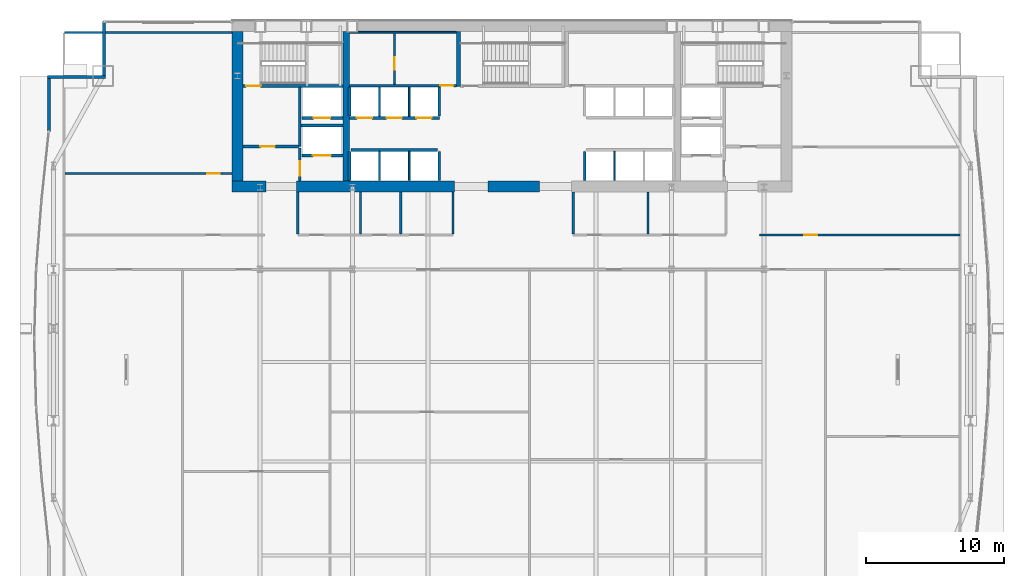
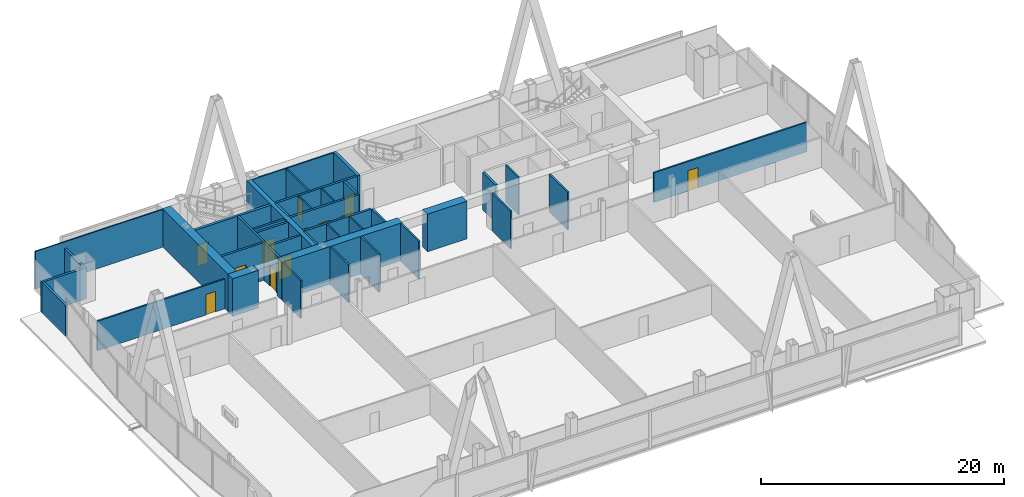
# One storey, part 28 of 32: 40 walls, 12 doors, 12 openings.
"""IFC4 building model written with IfcOpenShell, lengths in metres."""

from ifc_helpers import new_model, si_unit, direction, frame, frame_2d, origin, place, context, subcontext, project, spatial, rectangle, extrude, material, layer, layer_set, type_object, element, fill, save


model = new_model("IFC4")

# Units and contexts
model_context = context("Model", 3, precision=1e-05, world=origin(), true_north=direction((0.0, 1.0)))
body_context = subcontext(model_context, "Body", "Model", "MODEL_VIEW")
ifc_project = project(units=[si_unit("LENGTHUNIT", "METRE"), si_unit("AREAUNIT", "SQUARE_METRE"), si_unit("VOLUMEUNIT", "CUBIC_METRE"), si_unit("PLANEANGLEUNIT", "RADIAN"), si_unit("MASSUNIT", "GRAM", prefix="KILO")], contexts=[model_context])

# Site, building, storey
site_placement = place(None, origin())
site = spatial("IfcSite", under=ifc_project, at=site_placement, CompositionType="ELEMENT")
building_placement = place(site_placement, origin())
building = spatial("IfcBuilding", under=site, at=building_placement, Name="Khoronbel Lancet Exchange", CompositionType="ELEMENT")
storey_placement = place(building_placement, frame((0.0, 0.0, 81.800048828125)))
storey = spatial("IfcBuildingStorey", under=building, at=storey_placement, Name="L19", CompositionType="ELEMENT", Elevation=81.800048828125)

# Walls
ifc_material_1 = material(Name="Concrete C80/95", Category="concrete")
ifc_layer_1 = layer(ifc_material_1, 0.800048828125, Name="Concrete C80/95")
ifc_layer_set_1 = layer_set([ifc_layer_1], Name="Concrete C80/95")
wall_type_1 = type_object("IfcWallType", Name="WL-CW1", PredefinedType="SHEAR", material=ifc_layer_set_1)
wall_1_placement = place(storey_placement, frame((16.60009765625, 42.10009765625, 0.0), z_axis=(0.0, 0.0, 1.0), x_axis=(0.0, 1.0, 0.0)))
element("IfcWall", 1, at=wall_1_placement, inside=storey, type_object=wall_type_1, Name="Level L19 rear core west shear wall", PredefinedType="SHEAR", context=body_context, shape_type="SweptSolid", body=[
    extrude(rectangle(XDim=10.7998046875, YDim=0.800048828125, at=frame_2d((5.39990234375, 0.0))), origin(), (0.0, 0.0, 1.0), 3.780029296875),
])
wall_2_placement = place(storey_placement, frame((18.64990234375, 41.699951171875, 0.0), z_axis=(0.0, 0.0, 1.0), x_axis=(-1.0, 0.0, 0.0)))
element("IfcWall", 2, at=wall_2_placement, inside=storey, type_object=wall_type_1, Name="Level L19 rear core south shear wall pier P1", PredefinedType="SHEAR", context=body_context, shape_type="SweptSolid", body=[
    extrude(rectangle(XDim=2.449951171875, YDim=0.800048828125, at=frame_2d((1.22509765625, 0.0))), origin(), (0.0, 0.0, 1.0), 3.780029296875),
])
wall_3_placement = place(storey_placement, frame((32.300048828125, 41.699951171875, 0.0), z_axis=(0.0, 0.0, 1.0), x_axis=(-1.0, 0.0, 0.0)))
element("IfcWall", 3, at=wall_3_placement, inside=storey, type_object=wall_type_1, Name="Level L19 rear core south shear wall pier P2", PredefinedType="SHEAR", context=body_context, shape_type="SweptSolid", body=[
    extrude(rectangle(XDim=11.449951171875, YDim=0.800048828125, at=frame_2d((5.72509765625, 0.0))), origin(), (0.0, 0.0, 1.0), 3.780029296875),
])
wall_4_placement = place(storey_placement, frame((38.449951171875, 41.699951171875, 0.0), z_axis=(0.0, 0.0, 1.0), x_axis=(-1.0, 0.0, 0.0)))
element("IfcWall", 4, at=wall_4_placement, inside=storey, type_object=wall_type_1, Name="Level L19 rear core south shear wall pier P3", PredefinedType="SHEAR", context=body_context, shape_type="SweptSolid", body=[
    extrude(rectangle(XDim=3.75, YDim=0.800048828125, at=frame_2d((1.875, 0.0))), origin(), (0.0, 0.0, 1.0), 3.780029296875),
])
ifc_material_2 = material(Name="Precast concrete C40/50", Category="concrete")
ifc_layer_2 = layer(ifc_material_2, 0.25, Name="Precast concrete C40/50")
ifc_layer_set_2 = layer_set([ifc_layer_2], Name="Precast concrete C40/50")
wall_type_2 = type_object("IfcWallType", Name="WL-EXT250", PredefinedType="SOLIDWALL", material=ifc_layer_set_2)
wall_5_placement = place(storey_placement, frame((2.93994140625, 45.67529296875, 0.0), z_axis=(0.0, 0.0, 1.0), x_axis=(0.0, 1.0, 0.0)))
element("IfcWall", 5, at=wall_5_placement, inside=storey, type_object=wall_type_2, Name="Level L19 notched-corner limestone pier 10", PredefinedType="SOLIDWALL", context=body_context, shape_type="SweptSolid", body=[
    extrude(rectangle(XDim=3.82470703125, YDim=0.219970703125, at=frame_2d((1.912353515625, 0.0))), origin(), (0.0, 0.0, 1.0), 3.119873046875),
])
wall_6_placement = place(storey_placement, frame((2.830078125, 49.610107421875, 0.0), z_axis=(0.0, 0.0, 1.0), x_axis=(1.0, 0.0, 0.0)))
element("IfcWall", 6, at=wall_6_placement, inside=storey, type_object=wall_type_2, Name="Level L19 notched-corner limestone pier 11", PredefinedType="SOLIDWALL", context=body_context, shape_type="SweptSolid", body=[
    extrude(rectangle(XDim=4.219970703125, YDim=0.219970703125, at=frame_2d((2.10986328125, 0.0))), origin(), (0.0, 0.0, 1.0), 3.119873046875),
])
wall_7_placement = place(storey_placement, frame((6.93994140625, 49.719970703125, 0.0), z_axis=(0.0, 0.0, 1.0), x_axis=(0.0, 1.0, 0.0)))
element("IfcWall", 7, at=wall_7_placement, inside=storey, type_object=wall_type_2, Name="Level L19 notched-corner limestone pier 12", PredefinedType="SOLIDWALL", context=body_context, shape_type="SweptSolid", body=[
    extrude(rectangle(XDim=3.909912109375, YDim=0.219970703125, at=frame_2d((1.955078125, 0.0))), origin(), (0.0, 0.0, 1.0), 3.119873046875),
])
ifc_material_3 = material(Name="Acoustic Metal-Stud & Mineral-Wool Gypsum Partition 120 mm", Category="gypsum")
ifc_layer_3 = layer(ifc_material_3, 0.1201171875, Name="Acoustic Metal-Stud & Mineral-Wool Gypsum Partition 120 mm")
ifc_layer_set_3 = layer_set([ifc_layer_3], Name="Acoustic Metal-Stud & Mineral-Wool Gypsum Partition 120 mm")
wall_type_3 = type_object("IfcWallType", Name="WL-PRT120", PredefinedType="PARTITIONING", material=ifc_layer_set_3)
for number, where, z_axis, x_axis, name in (
    (8, (20.949951171875, 38.280029296875, 0.0), (0.0, 0.0, 1.0), (0.0, 1.0, 0.0), "Level L19 interior partition PW-WC-0"),
    (9, (25.5, 38.280029296875, 0.0), (0.0, 0.0, 1.0), (0.0, 1.0, 0.0), "Level L19 interior partition PW-WC-1"),
    (10, (28.39990234375, 38.280029296875, 0.0), (0.0, 0.0, 1.0), (0.0, 1.0, 0.0), "Level L19 interior partition PW-WC-2"),
    (11, (32.179931640625, 38.280029296875, 0.0), (0.0, 0.0, 1.0), (0.0, 1.0, 0.0), "Level L19 interior partition PW-WC-3"),
    (12, (40.8798828125, 38.280029296875, 0.0), (0.0, 0.0, 1.0), (0.0, 1.0, 0.0), "Level L19 interior partition PW-NP-0"),
    (13, (46.300048828125, 38.280029296875, 0.0), (0.0, 0.0, 1.0), (0.0, 1.0, 0.0), "Level L19 interior partition PW-NP-M"),
):
    element("IfcWall", number, at=place(storey_placement, frame(where, z_axis=z_axis, x_axis=x_axis)), inside=storey, type_object=wall_type_3, Name=name, PredefinedType="PARTITIONING", context=body_context, shape_type="SweptSolid", body=[
        extrude(rectangle(XDim=3.02001953125, YDim=0.14990234375, at=frame_2d((1.510009765625, 0.0))), origin(), (0.0, 0.0, 1.0), 3.780029296875),
    ])

# Wall, opening, door
wall_8_placement = place(storey_placement, frame((4.094970703125, 42.64990234375, 0.0), z_axis=(0.0, 0.0, 1.0), x_axis=(1.0, 0.0, 0.0)))
wall_8 = element("IfcWall", 14, at=wall_8_placement, inside=storey, type_object=wall_type_3, Name="Level L19 interior partition PW-NW-H", PredefinedType="PARTITIONING", context=body_context, shape_type="SweptSolid", body=[
    extrude(rectangle(XDim=12.10498046875, YDim=0.14990234375, at=frame_2d((6.052490234375, 0.0))), origin(), (0.0, 0.0, 1.0), 2.969970703125),
])
opening_1_placement = place(wall_8_placement, frame((10.320068359375, 0.0, 0.0)))
opening_1 = element("IfcOpeningElement", 15, at=opening_1_placement, cuts=wall_8, Name="Opening D5", PredefinedType="OPENING", context=body_context, shape_type="SweptSolid", body=[
    extrude(rectangle(XDim=0.89990234375, YDim=2.050048828125, at=frame_2d((0.449951171875, 1.02490234375))), frame((0.0, 0.0849609375, 0.0), z_axis=(0.0, -1.0, 0.0), x_axis=(1.0, 0.0, 0.0)), (0.0, 0.0, 1.0), 0.169921875),
])
ifc_material_4 = material(Name="Acoustic Timber Pantry & Support Door", Category="wood")
door_type_1 = type_object("IfcDoorType", Name="DR-D5", OperationType="NOTDEFINED", PredefinedType="DOOR", material=ifc_material_4)
door_1_placement = place(opening_1_placement, origin())
door_1 = element("IfcDoor", 16, at=door_1_placement, inside=storey, type_object=door_type_1, Name="NW north room door L19-1", OperationType="SINGLE_SWING_LEFT", OverallHeight=2.050048828125, OverallWidth=0.89990234375, PredefinedType="DOOR", context=body_context, shape_type="SweptSolid", body=[
    extrude(rectangle(XDim=0.89990234375, YDim=2.050048828125, at=frame_2d((0.449951171875, 1.02490234375))), frame((0.0, 0.02490234375, 0.0), z_axis=(0.0, -1.0, 0.0), x_axis=(1.0, 0.0, 0.0)), (0.0, 0.0, 1.0), 0.050048828125),
])
fill(opening_1, door_1)

# Walls
wall_9_placement = place(storey_placement, frame((4.094970703125, 52.840087890625, 0.0), z_axis=(0.0, 0.0, 1.0), x_axis=(1.0, 0.0, 0.0)))
element("IfcWall", 17, at=wall_9_placement, inside=storey, type_object=wall_type_3, Name="Level L19 interior partition PW-LIN-NW", PredefinedType="PARTITIONING", context=body_context, shape_type="SweptSolid", body=[
    extrude(rectangle(XDim=12.10498046875, YDim=0.1201171875, at=frame_2d((6.052490234375, 0.0))), origin(), (0.0, 0.0, 1.0), 3.780029296875),
])
ifc_material_5 = material(Name="Fire-Rated Metal-Stud & Mineral-Wool Gypsum Partition 120 mm", Category="gypsum")
ifc_layer_4 = layer(ifc_material_5, 0.1201171875, Name="Fire-Rated Metal-Stud & Mineral-Wool Gypsum Partition 120 mm")
ifc_layer_set_4 = layer_set([ifc_layer_4], Name="Fire-Rated Metal-Stud & Mineral-Wool Gypsum Partition 120 mm")
wall_type_4 = type_object("IfcWallType", Name="WL-PRT120F", PredefinedType="PARTITIONING", material=ifc_layer_set_4)
for number, where, z_axis, x_axis, name in (
    (18, (26.860107421875, 46.800048828125, 0.0), (0.0, 0.0, 1.0), (0.0, 1.0, 0.0), "Level L19 interior partition CW-PL-D1"),
    (19, (29.02001953125, 46.800048828125, 0.0), (0.0, 0.0, 1.0), (0.0, 1.0, 0.0), "Level L19 interior partition CW-PL-D2"),
):
    element("IfcWall", number, at=place(storey_placement, frame(where, z_axis=z_axis, x_axis=x_axis)), inside=storey, type_object=wall_type_4, Name=name, PredefinedType="PARTITIONING", context=body_context, shape_type="SweptSolid", body=[
        extrude(rectangle(XDim=2.094970703125, YDim=0.1201171875, at=frame_2d((1.04736328125, 0.0))), origin(), (0.0, 0.0, 1.0), 3.780029296875),
    ])
for number, where, z_axis, x_axis, name in (
    (20, (26.860107421875, 42.14990234375, 0.0), (0.0, 0.0, 1.0), (0.0, 1.0, 0.0), "Level L19 interior partition CW-PM-D1"),
    (21, (29.02001953125, 42.14990234375, 0.0), (0.0, 0.0, 1.0), (0.0, 1.0, 0.0), "Level L19 interior partition CW-PM-D2"),
    (22, (43.860107421875, 42.14990234375, 0.0), (0.0, 0.0, 1.0), (0.0, 1.0, 0.0), "Level L19 interior partition CW-PX-D1"),
):
    element("IfcWall", number, at=place(storey_placement, frame(where, z_axis=z_axis, x_axis=x_axis)), inside=storey, type_object=wall_type_4, Name=name, PredefinedType="PARTITIONING", context=body_context, shape_type="SweptSolid", body=[
        extrude(rectangle(XDim=2.09521484375, YDim=0.1201171875, at=frame_2d((1.047607421875, 0.0))), origin(), (0.0, 0.0, 1.0), 3.780029296875),
    ])
wall_10_placement = place(storey_placement, frame((24.699951171875, 52.860107421875, 0.0), z_axis=(0.0, 0.0, 1.0), x_axis=(1.0, 0.0, 0.0)))
element("IfcWall", 23, at=wall_10_placement, inside=storey, type_object=wall_type_4, Name="Level L19 interior partition CW-SUP-NW-N", PredefinedType="PARTITIONING", context=body_context, shape_type="SweptSolid", body=[
    extrude(rectangle(XDim=7.719970703125, YDim=0.1201171875, at=frame_2d((3.85986328125, 0.0))), origin(), (0.0, 0.0, 1.0), 3.780029296875),
])

# Wall, opening, door
wall_11_placement = place(storey_placement, frame((27.9423828125, 49.10498046875, 0.0), z_axis=(0.0, 0.0, 1.0), x_axis=(0.0, 1.0, 0.0)))
wall_11 = element("IfcWall", 24, at=wall_11_placement, inside=storey, type_object=wall_type_4, Name="Level L19 interior partition CW-SUP-NW-M", PredefinedType="PARTITIONING", context=body_context, shape_type="SweptSolid", body=[
    extrude(rectangle(XDim=3.68994140625, YDim=0.1201171875, at=frame_2d((1.844970703125, 0.0))), origin(), (0.0, 0.0, 1.0), 3.780029296875),
])
opening_2_placement = place(wall_11_placement, frame((1.050048828125, 0.0, 0.0)))
opening_2 = element("IfcOpeningElement", 25, at=opening_2_placement, cuts=wall_11, Name="Opening FD4", PredefinedType="OPENING", context=body_context, shape_type="SweptSolid", body=[
    extrude(rectangle(XDim=0.89990234375, YDim=2.050048828125, at=frame_2d((0.449951171875, 1.02490234375))), frame((0.0, 0.070068359375, 0.0), z_axis=(0.0, -1.0, 0.0), x_axis=(1.0, 0.0, 0.0)), (0.0, 0.0, 1.0), 0.14013671875),
])
ifc_material_6 = material(Name="Fire-Rated Steel Core Support Door Assembly", Category="steel")
door_type_2 = type_object("IfcDoorType", Name="DR-FD4", OperationType="NOTDEFINED", PredefinedType="DOOR", material=ifc_material_6)
door_2_placement = place(opening_2_placement, origin())
door_2 = element("IfcDoor", 26, at=door_2_placement, inside=storey, type_object=door_type_2, Name="Core NW inner support door L19-1", OperationType="SINGLE_SWING_RIGHT", OverallHeight=2.050048828125, OverallWidth=0.89990234375, PredefinedType="DOOR", context=body_context, shape_type="SweptSolid", body=[
    extrude(rectangle(XDim=0.89990234375, YDim=2.050048828125, at=frame_2d((0.449951171875, 1.02490234375))), frame((0.0, 0.02490234375, 0.0), z_axis=(0.0, -1.0, 0.0), x_axis=(1.0, 0.0, 0.0)), (0.0, 0.0, 1.0), 0.050048828125),
])
fill(opening_2, door_2)

ifc_material_7 = material(Name="Fire-Rated Twin-Stud Acoustic Gypsum Partition 150 mm", Category="gypsum")
ifc_layer_5 = layer(ifc_material_7, 0.14990234375, Name="Fire-Rated Twin-Stud Acoustic Gypsum Partition 150 mm")
ifc_layer_set_5 = layer_set([ifc_layer_5], Name="Fire-Rated Twin-Stud Acoustic Gypsum Partition 150 mm")
wall_type_5 = type_object("IfcWallType", Name="WL-PRT150C", PredefinedType="PARTITIONING", material=ifc_layer_set_5)
wall_12_placement = place(storey_placement, frame((54.35009765625, 38.199951171875, 0.0), z_axis=(0.0, 0.0, 1.0), x_axis=(1.0, 0.0, 0.0)))
wall_12 = element("IfcWall", 27, at=wall_12_placement, inside=storey, type_object=wall_type_5, Name="Level L19 interior partition PW-NE-S", PredefinedType="PARTITIONING", context=body_context, shape_type="SweptSolid", body=[
    extrude(rectangle(XDim=14.52001953125, YDim=0.14990234375, at=frame_2d((7.260009765625, 0.0))), origin(), (0.0, 0.0, 1.0), 2.969970703125),
])
opening_3_placement = place(wall_12_placement, frame((3.25, 0.0, 0.0)))
opening_3 = element("IfcOpeningElement", 28, at=opening_3_placement, cuts=wall_12, Name="Opening D1", PredefinedType="OPENING", context=body_context, shape_type="SweptSolid", body=[
    extrude(rectangle(XDim=0.949951171875, YDim=2.050048828125, at=frame_2d((0.47509765625, 1.02490234375))), frame((0.0, 0.0849609375, 0.0), z_axis=(0.0, -1.0, 0.0), x_axis=(1.0, 0.0, 0.0)), (0.0, 0.0, 1.0), 0.169921875),
])
ifc_material_8 = material(Name="Acoustic Veneered Timber & Bronze Frame Door", Category="wood")
door_type_3 = type_object("IfcDoorType", Name="DR-D1", OperationType="NOTDEFINED", PredefinedType="DOOR", material=ifc_material_8)
door_3_placement = place(opening_3_placement, origin())
door_3 = element("IfcDoor", 29, at=door_3_placement, inside=storey, type_object=door_type_3, Name="NE corner room door L19-1", OperationType="SINGLE_SWING_RIGHT", OverallHeight=2.050048828125, OverallWidth=0.949951171875, PredefinedType="DOOR", context=body_context, shape_type="SweptSolid", body=[
    extrude(rectangle(XDim=0.949951171875, YDim=2.050048828125, at=frame_2d((0.47509765625, 1.02490234375))), frame((0.0, 0.02490234375, 0.0), z_axis=(0.0, -1.0, 0.0), x_axis=(1.0, 0.0, 0.0)), (0.0, 0.0, 1.0), 0.050048828125),
])
fill(opening_3, door_3)

ifc_material_9 = material(Name="Autoclaved Aerated Concrete Blockwork 200 mm", Category="masonry")
ifc_layer_6 = layer(ifc_material_9, 0.199951171875, Name="Autoclaved Aerated Concrete Blockwork 200 mm")
ifc_layer_set_6 = layer_set([ifc_layer_6], Name="Autoclaved Aerated Concrete Blockwork 200 mm")
wall_type_6 = type_object("IfcWallType", Name="WL-PRT200", PredefinedType="PARTITIONING", material=ifc_layer_set_6)
wall_13_placement = place(storey_placement, frame((24.2099609375, 43.949951171875, 0.0), z_axis=(0.0, 0.0, 1.0), x_axis=(-1.0, 0.0, 0.0)))
wall_13 = element("IfcWall", 30, at=wall_13_placement, inside=storey, type_object=wall_type_6, Name="Level L19 elevator hoistway landing front wall SVLW", PredefinedType="PARTITIONING", context=body_context, shape_type="SweptSolid", body=[
    extrude(rectangle(XDim=2.969970703125, YDim=0.199951171875, at=frame_2d((1.48486328125, 0.0))), origin(), (0.0, 0.0, 1.0), 3.780029296875),
])
opening_4_placement = place(wall_13_placement, frame((0.860107421875, 0.0, 0.0)))
opening_4 = element("IfcOpeningElement", 31, at=opening_4_placement, cuts=wall_13, Name="Opening LD-SVL1", PredefinedType="OPENING", context=body_context, shape_type="SweptSolid", body=[
    extrude(rectangle(XDim=1.300048828125, YDim=2.179931640625, at=frame_2d((0.64990234375, 1.08984375))), frame((0.0, 0.10986328125, 0.0), z_axis=(0.0, -1.0, 0.0), x_axis=(1.0, 0.0, 0.0)), (0.0, 0.0, 1.0), 0.219970703125),
])
ifc_material_10 = material(Name="Heavy-Duty Bi-Parting Goods Lift Landing Door", Category="steel")
door_type_4 = type_object("IfcDoorType", Name="DR-LD-SVL", OperationType="NOTDEFINED", PredefinedType="DOOR", material=ifc_material_10)
door_4_placement = place(opening_4_placement, origin())
door_4 = element("IfcDoor", 32, at=door_4_placement, inside=storey, type_object=door_type_4, Name="Elevator landing sliding door LD-SVL1 L19", OperationType="SLIDING_TO_LEFT", OverallHeight=2.179931640625, OverallWidth=1.300048828125, PredefinedType="DOOR", context=body_context, shape_type="SweptSolid", body=[
    extrude(rectangle(XDim=1.300048828125, YDim=2.179931640625, at=frame_2d((0.64990234375, 1.08984375))), frame((0.0, 0.02490234375, 0.0), z_axis=(0.0, -1.0, 0.0), x_axis=(1.0, 0.0, 0.0)), (0.0, 0.0, 1.0), 0.050048828125),
])
fill(opening_4, door_4)

wall_14_placement = place(storey_placement, frame((24.2099609375, 46.64990234375, 0.0), z_axis=(0.0, 0.0, 1.0), x_axis=(-1.0, 0.0, 0.0)))
wall_14 = element("IfcWall", 33, at=wall_14_placement, inside=storey, type_object=wall_type_6, Name="Level L19 elevator hoistway landing front wall FFLW", PredefinedType="PARTITIONING", context=body_context, shape_type="SweptSolid", body=[
    extrude(rectangle(XDim=2.969970703125, YDim=0.199951171875, at=frame_2d((1.48486328125, 0.0))), origin(), (0.0, 0.0, 1.0), 3.780029296875),
])
opening_5_placement = place(wall_14_placement, frame((0.909912109375, 0.0, 0.0)))
opening_5 = element("IfcOpeningElement", 34, at=opening_5_placement, cuts=wall_14, Name="Opening LD-FFL1", PredefinedType="OPENING", context=body_context, shape_type="SweptSolid", body=[
    extrude(rectangle(XDim=1.199951171875, YDim=2.179931640625, at=frame_2d((0.60009765625, 1.08984375))), frame((0.0, 0.10986328125, 0.0), z_axis=(0.0, -1.0, 0.0), x_axis=(1.0, 0.0, 0.0)), (0.0, 0.0, 1.0), 0.219970703125),
])
ifc_material_11 = material(Name="Fire-Rated Stainless Bi-Parting Firefighting Lift Door", Category="steel")
door_type_5 = type_object("IfcDoorType", Name="DR-LD-FFL", OperationType="NOTDEFINED", PredefinedType="DOOR", material=ifc_material_11)
door_5_placement = place(opening_5_placement, origin())
door_5 = element("IfcDoor", 35, at=door_5_placement, inside=storey, type_object=door_type_5, Name="Elevator landing sliding door LD-FFL1 L19", OperationType="SLIDING_TO_LEFT", OverallHeight=2.179931640625, OverallWidth=1.199951171875, PredefinedType="DOOR", context=body_context, shape_type="SweptSolid", body=[
    extrude(rectangle(XDim=1.199951171875, YDim=2.179931640625, at=frame_2d((0.60009765625, 1.08984375))), frame((0.0, 0.02490234375, 0.0), z_axis=(0.0, -1.0, 0.0), x_axis=(1.0, 0.0, 0.0)), (0.0, 0.0, 1.0), 0.050048828125),
])
fill(opening_5, door_5)

# Wall, openings, doors
wall_15_placement = place(storey_placement, frame((31.219970703125, 46.64990234375, 0.0), z_axis=(0.0, 0.0, 1.0), x_axis=(-1.0, 0.0, 0.0)))
wall_15 = element("IfcWall", 36, at=wall_15_placement, inside=storey, type_object=wall_type_6, Name="Level L19 elevator hoistway landing front wall PLW", PredefinedType="PARTITIONING", context=body_context, shape_type="SweptSolid", body=[
    extrude(rectangle(XDim=6.530029296875, YDim=0.199951171875, at=frame_2d((3.26513671875, 0.0))), origin(), (0.0, 0.0, 1.0), 3.780029296875),
])
opening_6_placement = place(wall_15_placement, frame((4.89990234375, 0.0, 0.0)))
opening_6 = element("IfcOpeningElement", 37, at=opening_6_placement, cuts=wall_15, Name="Opening LD-PL1", PredefinedType="OPENING", context=body_context, shape_type="SweptSolid", body=[
    extrude(rectangle(XDim=1.10009765625, YDim=2.179931640625, at=frame_2d((0.550048828125, 1.08984375))), frame((0.0, 0.10986328125, 0.0), z_axis=(0.0, -1.0, 0.0), x_axis=(1.0, 0.0, 0.0)), (0.0, 0.0, 1.0), 0.219970703125),
])
opening_7_placement = place(wall_15_placement, frame((2.739990234375, 0.0, 0.0)))
opening_7 = element("IfcOpeningElement", 38, at=opening_7_placement, cuts=wall_15, Name="Opening LD-PL2", PredefinedType="OPENING", context=body_context, shape_type="SweptSolid", body=[
    extrude(rectangle(XDim=1.10009765625, YDim=2.179931640625, at=frame_2d((0.550048828125, 1.08984375))), frame((0.0, 0.10986328125, 0.0), z_axis=(0.0, -1.0, 0.0), x_axis=(1.0, 0.0, 0.0)), (0.0, 0.0, 1.0), 0.219970703125),
])
opening_8_placement = place(wall_15_placement, frame((0.580078125, 0.0, 0.0)))
opening_8 = element("IfcOpeningElement", 39, at=opening_8_placement, cuts=wall_15, Name="Opening LD-PL3", PredefinedType="OPENING", context=body_context, shape_type="SweptSolid", body=[
    extrude(rectangle(XDim=1.10009765625, YDim=2.179931640625, at=frame_2d((0.550048828125, 1.08984375))), frame((0.0, 0.10986328125, 0.0), z_axis=(0.0, -1.0, 0.0), x_axis=(1.0, 0.0, 0.0)), (0.0, 0.0, 1.0), 0.219970703125),
])
ifc_material_12 = material(Name="Brushed Bronze Bi-Parting Elevator Landing Door", Category="steel")
door_type_6 = type_object("IfcDoorType", Name="DR-LD-PAX", OperationType="NOTDEFINED", PredefinedType="DOOR", material=ifc_material_12)
door_6_placement = place(opening_6_placement, origin())
door_6 = element("IfcDoor", 40, at=door_6_placement, inside=storey, type_object=door_type_6, Name="Elevator landing sliding door LD-PL1 L19", OperationType="SLIDING_TO_LEFT", OverallHeight=2.179931640625, OverallWidth=1.10009765625, PredefinedType="DOOR", context=body_context, shape_type="SweptSolid", body=[
    extrude(rectangle(XDim=1.10009765625, YDim=2.179931640625, at=frame_2d((0.550048828125, 1.08984375))), frame((0.0, 0.02490234375, 0.0), z_axis=(0.0, -1.0, 0.0), x_axis=(1.0, 0.0, 0.0)), (0.0, 0.0, 1.0), 0.050048828125),
])
fill(opening_6, door_6)
door_7_placement = place(opening_7_placement, origin())
door_7 = element("IfcDoor", 41, at=door_7_placement, inside=storey, type_object=door_type_6, Name="Elevator landing sliding door LD-PL2 L19", OperationType="SLIDING_TO_LEFT", OverallHeight=2.179931640625, OverallWidth=1.10009765625, PredefinedType="DOOR", context=body_context, shape_type="SweptSolid", body=[
    extrude(rectangle(XDim=1.10009765625, YDim=2.179931640625, at=frame_2d((0.550048828125, 1.08984375))), frame((0.0, 0.02490234375, 0.0), z_axis=(0.0, -1.0, 0.0), x_axis=(1.0, 0.0, 0.0)), (0.0, 0.0, 1.0), 0.050048828125),
])
fill(opening_7, door_7)
door_8_placement = place(opening_8_placement, origin())
door_8 = element("IfcDoor", 42, at=door_8_placement, inside=storey, type_object=door_type_6, Name="Elevator landing sliding door LD-PL3 L19", OperationType="SLIDING_TO_LEFT", OverallHeight=2.179931640625, OverallWidth=1.10009765625, PredefinedType="DOOR", context=body_context, shape_type="SweptSolid", body=[
    extrude(rectangle(XDim=1.10009765625, YDim=2.179931640625, at=frame_2d((0.550048828125, 1.08984375))), frame((0.0, 0.02490234375, 0.0), z_axis=(0.0, -1.0, 0.0), x_axis=(1.0, 0.0, 0.0)), (0.0, 0.0, 1.0), 0.050048828125),
])
fill(opening_8, door_8)

# Wall
wall_16_placement = place(storey_placement, frame((21.10009765625, 44.60009765625, 0.0), z_axis=(0.0, 0.0, 1.0), x_axis=(0.0, 1.0, 0.0)))
element("IfcWall", 43, at=wall_16_placement, inside=storey, type_object=wall_type_6, Name="Level L19 interior partition CW-FFLW-E", PredefinedType="PARTITIONING", context=body_context, shape_type="SweptSolid", body=[
    extrude(rectangle(XDim=4.2998046875, YDim=0.199951171875, at=frame_2d((2.14990234375, 0.0))), origin(), (0.0, 0.0, 1.0), 3.780029296875),
])

# Wall, opening, door
wall_17_placement = place(storey_placement, frame((17.0, 44.60009765625, 0.0), z_axis=(0.0, 0.0, 1.0), x_axis=(1.0, 0.0, 0.0)))
wall_17 = element("IfcWall", 44, at=wall_17_placement, inside=storey, type_object=wall_type_6, Name="Level L19 interior partition CW-FFLW-S", PredefinedType="PARTITIONING", context=body_context, shape_type="SweptSolid", body=[
    extrude(rectangle(XDim=4.0, YDim=0.199951171875, at=frame_2d((2.0, 0.0))), origin(), (0.0, 0.0, 1.0), 3.780029296875),
])
opening_9_placement = place(wall_17_placement, frame((1.25, 0.0, 0.0)))
opening_9 = element("IfcOpeningElement", 45, at=opening_9_placement, cuts=wall_17, Name="Opening FD1", PredefinedType="OPENING", context=body_context, shape_type="SweptSolid", body=[
    extrude(rectangle(XDim=1.050048828125, YDim=2.14990234375, at=frame_2d((0.52490234375, 1.074951171875))), frame((0.0, 0.10986328125, 0.0), z_axis=(0.0, -1.0, 0.0), x_axis=(1.0, 0.0, 0.0)), (0.0, 0.0, 1.0), 0.219970703125),
])
ifc_material_13 = material(Name="Fire-Rated Painted Steel Door Assembly", Category="steel")
door_type_7 = type_object("IfcDoorType", Name="DR-FD1", OperationType="NOTDEFINED", PredefinedType="DOOR", material=ifc_material_13)
door_9_placement = place(opening_9_placement, origin())
door_9 = element("IfcDoor", 46, at=door_9_placement, inside=storey, type_object=door_type_7, Name="West firefighting lobby FD90S door L19-1", OperationType="SINGLE_SWING_LEFT", OverallHeight=2.14990234375, OverallWidth=1.050048828125, PredefinedType="DOOR", context=body_context, shape_type="SweptSolid", body=[
    extrude(rectangle(XDim=1.050048828125, YDim=2.14990234375, at=frame_2d((0.52490234375, 1.074951171875))), frame((0.0, 0.02490234375, 0.0), z_axis=(0.0, -1.0, 0.0), x_axis=(1.0, 0.0, 0.0)), (0.0, 0.0, 1.0), 0.050048828125),
])
fill(opening_9, door_9)

# Wall
wall_18_placement = place(storey_placement, frame((21.199951171875, 46.1201171875, 0.0), z_axis=(0.0, 0.0, 1.0), x_axis=(1.0, 0.0, 0.0)))
element("IfcWall", 47, at=wall_18_placement, inside=storey, type_object=wall_type_6, Name="Level L19 interior partition CW-FFL1-S", PredefinedType="PARTITIONING", context=body_context, shape_type="SweptSolid", body=[
    extrude(rectangle(XDim=3.02001953125, YDim=0.199951171875, at=frame_2d((1.510009765625, 0.0))), origin(), (0.0, 0.0, 1.0), 3.780029296875),
])

# Wall, opening, door
wall_19_placement = place(storey_placement, frame((21.10009765625, 42.10009765625, 0.0), z_axis=(0.0, 0.0, 1.0), x_axis=(0.0, 1.0, 0.0)))
wall_19 = element("IfcWall", 48, at=wall_19_placement, inside=storey, type_object=wall_type_6, Name="Level L19 interior partition CW-SVLW-W", PredefinedType="PARTITIONING", context=body_context, shape_type="SweptSolid", body=[
    extrude(rectangle(XDim=2.39501953125, YDim=0.199951171875, at=frame_2d((1.197509765625, 0.0))), origin(), (0.0, 0.0, 1.0), 3.780029296875),
])
opening_10_placement = place(wall_19_placement, frame((0.3798828125, 0.0, 0.0)))
opening_10 = element("IfcOpeningElement", 49, at=opening_10_placement, cuts=wall_19, Name="Opening FD1", PredefinedType="OPENING", context=body_context, shape_type="SweptSolid", body=[
    extrude(rectangle(XDim=1.050048828125, YDim=2.14990234375, at=frame_2d((0.52490234375, 1.074951171875))), frame((0.0, 0.10986328125, 0.0), z_axis=(0.0, -1.0, 0.0), x_axis=(1.0, 0.0, 0.0)), (0.0, 0.0, 1.0), 0.219970703125),
])
door_10_placement = place(opening_10_placement, origin())
door_10 = element("IfcDoor", 50, at=door_10_placement, inside=storey, type_object=door_type_7, Name="West service lift lobby door L19-1", OperationType="SINGLE_SWING_RIGHT", OverallHeight=2.14990234375, OverallWidth=1.050048828125, PredefinedType="DOOR", context=body_context, shape_type="SweptSolid", body=[
    extrude(rectangle(XDim=1.050048828125, YDim=2.14990234375, at=frame_2d((0.52490234375, 1.074951171875))), frame((0.0, 0.02490234375, 0.0), z_axis=(0.0, -1.0, 0.0), x_axis=(1.0, 0.0, 0.0)), (0.0, 0.0, 1.0), 0.050048828125),
])
fill(opening_10, door_10)

# Walls
for number, where, z_axis, x_axis, name in (
    (51, (24.699951171875, 46.800048828125, 0.0), (0.0, 0.0, 1.0), (0.0, 1.0, 0.0), "Level L19 interior partition CW-PL-W"),
    (52, (31.179931640625, 46.800048828125, 0.0), (0.0, 0.0, 1.0), (0.0, 1.0, 0.0), "Level L19 interior partition CW-PL-E"),
):
    element("IfcWall", number, at=place(storey_placement, frame(where, z_axis=z_axis, x_axis=x_axis)), inside=storey, type_object=wall_type_6, Name=name, PredefinedType="PARTITIONING", context=body_context, shape_type="SweptSolid", body=[
        extrude(rectangle(XDim=2.094970703125, YDim=0.199951171875, at=frame_2d((1.04736328125, 0.0))), origin(), (0.0, 0.0, 1.0), 3.780029296875),
    ])
wall_20_placement = place(storey_placement, frame((24.804931640625, 44.35009765625, 0.0), z_axis=(0.0, 0.0, 1.0), x_axis=(1.0, 0.0, 0.0)))
element("IfcWall", 53, at=wall_20_placement, inside=storey, type_object=wall_type_6, Name="Level L19 interior partition CW-PM-EXP", PredefinedType="PARTITIONING", context=body_context, shape_type="SweptSolid", body=[
    extrude(rectangle(XDim=6.27001953125, YDim=0.199951171875, at=frame_2d((3.135009765625, 0.0))), origin(), (0.0, 0.0, 1.0), 3.780029296875),
])
for number, where, z_axis, x_axis, name in (
    (54, (24.699951171875, 42.14990234375, 0.0), (0.0, 0.0, 1.0), (0.0, 1.0, 0.0), "Level L19 interior partition CW-PM-W"),
    (55, (31.179931640625, 42.14990234375, 0.0), (0.0, 0.0, 1.0), (0.0, 1.0, 0.0), "Level L19 interior partition CW-PM-E"),
    (56, (41.719970703125, 42.14990234375, 0.0), (0.0, 0.0, 1.0), (0.0, 1.0, 0.0), "Level L19 interior partition CW-PX-W"),
):
    element("IfcWall", number, at=place(storey_placement, frame(where, z_axis=z_axis, x_axis=x_axis)), inside=storey, type_object=wall_type_6, Name=name, PredefinedType="PARTITIONING", context=body_context, shape_type="SweptSolid", body=[
        extrude(rectangle(XDim=2.09521484375, YDim=0.199951171875, at=frame_2d((1.047607421875, 0.0))), origin(), (0.0, 0.0, 1.0), 3.780029296875),
    ])

# Wall, opening, door
wall_21_placement = place(storey_placement, frame((24.699951171875, 49.0, 0.0), z_axis=(0.0, 0.0, 1.0), x_axis=(1.0, 0.0, 0.0)))
wall_21 = element("IfcWall", 57, at=wall_21_placement, inside=storey, type_object=wall_type_6, Name="Level L19 interior partition CW-SUP-NW-S", PredefinedType="PARTITIONING", context=body_context, shape_type="SweptSolid", body=[
    extrude(rectangle(XDim=7.719970703125, YDim=0.199951171875, at=frame_2d((3.85986328125, 0.0))), origin(), (0.0, 0.0, 1.0), 3.780029296875),
])
opening_11_placement = place(wall_21_placement, frame((6.56005859375, 0.0, 0.0)))
opening_11 = element("IfcOpeningElement", 58, at=opening_11_placement, cuts=wall_21, Name="Opening FD3", PredefinedType="OPENING", context=body_context, shape_type="SweptSolid", body=[
    extrude(rectangle(XDim=0.949951171875, YDim=2.10009765625, at=frame_2d((0.47509765625, 1.050048828125))), frame((0.0, 0.10986328125, 0.0), z_axis=(0.0, -1.0, 0.0), x_axis=(1.0, 0.0, 0.0)), (0.0, 0.0, 1.0), 0.219970703125),
])
ifc_material_14 = material(Name="Fire-Rated Steel Plant & Riser Door Assembly", Category="steel")
door_type_8 = type_object("IfcDoorType", Name="DR-FD3", OperationType="NOTDEFINED", PredefinedType="DOOR", material=ifc_material_14)
door_11_placement = place(opening_11_placement, origin())
door_11 = element("IfcDoor", 59, at=door_11_placement, inside=storey, type_object=door_type_8, Name="Core NW support room door L19-1", OperationType="SINGLE_SWING_LEFT", OverallHeight=2.10009765625, OverallWidth=0.949951171875, PredefinedType="DOOR", context=body_context, shape_type="SweptSolid", body=[
    extrude(rectangle(XDim=0.949951171875, YDim=2.10009765625, at=frame_2d((0.47509765625, 1.050048828125))), frame((0.0, 0.02490234375, 0.0), z_axis=(0.0, -1.0, 0.0), x_axis=(1.0, 0.0, 0.0)), (0.0, 0.0, 1.0), 0.050048828125),
])
fill(opening_11, door_11)

# Walls
ifc_layer_7 = layer(ifc_material_1, 0.449951171875, Name="Concrete C80/95")
ifc_layer_set_7 = layer_set([ifc_layer_7], Name="Concrete C80/95")
wall_type_7 = type_object("IfcWallType", Name="WL-SW1", PredefinedType="SHEAR", material=ifc_layer_set_7)
wall_22_placement = place(storey_placement, frame((24.449951171875, 42.10009765625, 0.0), z_axis=(0.0, 0.0, 1.0), x_axis=(0.0, 1.0, 0.0)))
element("IfcWall", 60, at=wall_22_placement, inside=storey, type_object=wall_type_7, Name="Level L19 rear core internal spine shear wall IW", PredefinedType="SHEAR", context=body_context, shape_type="SweptSolid", body=[
    extrude(rectangle(XDim=10.7998046875, YDim=0.449951171875, at=frame_2d((5.39990234375, 0.0))), origin(), (0.0, 0.0, 1.0), 3.780029296875),
])
ifc_material_15 = material(Name="Concrete C60/75", Category="concrete")
ifc_layer_8 = layer(ifc_material_15, 0.260009765625, Name="Concrete C60/75")
ifc_layer_set_8 = layer_set([ifc_layer_8], Name="Concrete C60/75")
wall_type_8 = type_object("IfcWallType", Name="WL-SW3", PredefinedType="SHEAR", material=ifc_layer_set_8)
wall_23_placement = place(storey_placement, frame((32.580078125, 48.949951171875, 0.0), z_axis=(0.0, 0.0, 1.0), x_axis=(0.0, 1.0, 0.0)))
element("IfcWall", 61, at=wall_23_placement, inside=storey, type_object=wall_type_8, Name="Level L19 central stairwell structural shear wall ST3W", PredefinedType="SHEAR", context=body_context, shape_type="SweptSolid", body=[
    extrude(rectangle(XDim=3.949951171875, YDim=0.260009765625, at=frame_2d((1.97509765625, 0.0))), origin(), (0.0, 0.0, 1.0), 3.780029296875),
])

# Wall, opening, door
wall_24_placement = place(storey_placement, frame((17.0, 48.97998046875, 0.0), z_axis=(0.0, 0.0, 1.0), x_axis=(1.0, 0.0, 0.0)))
wall_24 = element("IfcWall", 62, at=wall_24_placement, inside=storey, type_object=wall_type_8, Name="Level L19 west stairwell structural south wall", PredefinedType="SHEAR", context=body_context, shape_type="SweptSolid", body=[
    extrude(rectangle(XDim=7.219970703125, YDim=0.239990234375, at=frame_2d((3.60986328125, 0.0))), origin(), (0.0, 0.0, 1.0), 3.780029296875),
])
opening_12_placement = place(wall_24_placement, frame((0.219970703125, 0.0, 0.0)))
opening_12 = element("IfcOpeningElement", 63, at=opening_12_placement, cuts=wall_24, Name="Opening SD1", PredefinedType="OPENING", context=body_context, shape_type="SweptSolid", body=[
    extrude(rectangle(XDim=1.050048828125, YDim=2.14990234375, at=frame_2d((0.52490234375, 1.074951171875))), frame((0.0, 0.1298828125, 0.0), z_axis=(0.0, -1.0, 0.0), x_axis=(1.0, 0.0, 0.0)), (0.0, 0.0, 1.0), 0.260009765625),
])
ifc_material_16 = material(Name="Fire-Rated Steel Stairwell Door Assembly", Category="steel")
door_type_9 = type_object("IfcDoorType", Name="DR-SD1", OperationType="NOTDEFINED", PredefinedType="DOOR", material=ifc_material_16)
door_12_placement = place(opening_12_placement, origin())
door_12 = element("IfcDoor", 64, at=door_12_placement, inside=storey, type_object=door_type_9, Name="Protected exit stair ST1 door L19", OperationType="SINGLE_SWING_LEFT", OverallHeight=2.14990234375, OverallWidth=1.050048828125, PredefinedType="DOOR", context=body_context, shape_type="SweptSolid", body=[
    extrude(rectangle(XDim=1.050048828125, YDim=2.14990234375, at=frame_2d((0.52490234375, 1.074951171875))), frame((0.0, 0.02490234375, 0.0), z_axis=(0.0, -1.0, 0.0), x_axis=(1.0, 0.0, 0.0)), (0.0, 0.0, 1.0), 0.050048828125),
])
fill(opening_12, door_12)

save(model, "model.ifc")
